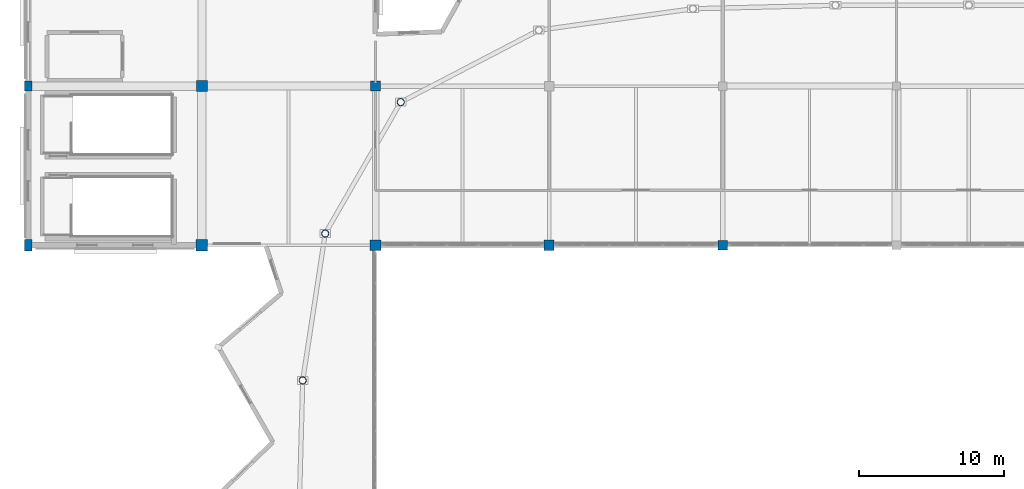
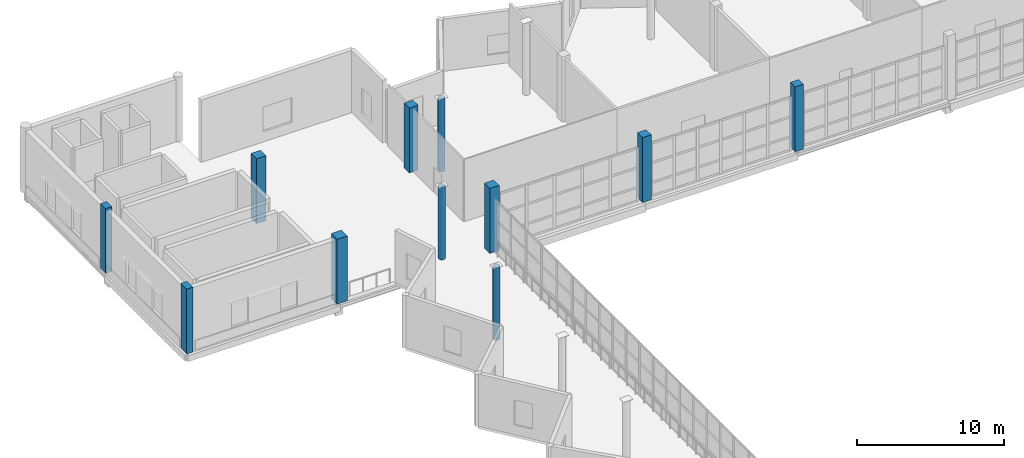
# One storey, part 6 of 49: 11 columns.
"""IFC4 building model written with IfcOpenShell, lengths in metres."""

from ifc_helpers import new_model, si_unit, direction, frame, origin, origin_2d, place, context, subcontext, project, spatial, rectangle, hollow_circle, extrude, material, material_profile, profile_set, type_object, element, save


model = new_model("IFC4")

# Units and contexts
model_context = context("Model", 3, precision=1e-05, world=origin(), true_north=direction((0.0, 1.0)))
body_context = subcontext(model_context, "Body", "Model", "MODEL_VIEW")
ifc_project = project(units=[si_unit("LENGTHUNIT", "METRE"), si_unit("AREAUNIT", "SQUARE_METRE"), si_unit("VOLUMEUNIT", "CUBIC_METRE"), si_unit("PLANEANGLEUNIT", "RADIAN"), si_unit("MASSUNIT", "GRAM", prefix="KILO")], contexts=[model_context])

# Site, building, storey
site_placement = place(None, origin())
site = spatial("IfcSite", under=ifc_project, at=site_placement, CompositionType="ELEMENT")
building_placement = place(site_placement, origin())
building = spatial("IfcBuilding", under=site, at=building_placement, Name="Luwafu Chhajja Arena", CompositionType="ELEMENT")
storey_placement = place(building_placement, frame((0.0, 0.0, 24.300048828125)))
storey = spatial("IfcBuildingStorey", under=building, at=storey_placement, Name="L05", CompositionType="ELEMENT", Elevation=24.300048828125)

# Columns
ifc_material_1 = material(Name="Concrete C35/45", Category="concrete")
ifc_material_profile_1 = material_profile(ifc_material_1, rectangle(XDim=0.5, YDim=0.800048828125, at=origin_2d()), Name="RC 500x800")
ifc_profile_set_1 = profile_set([ifc_material_profile_1], Name="Concrete C35/45")
column_type_1 = type_object("IfcColumnType", Name="BOH Frame Column RC 500x800", PredefinedType="COLUMN", material=ifc_profile_set_1)
column_1_placement = place(storey_placement, frame((34.0, 77.0, 0.0), z_axis=(0.0, 0.0, 1.0), x_axis=(1.0, 0.0, 0.0)))
element("IfcColumn", 1, at=column_1_placement, inside=storey, type_object=column_type_1, Name="L05 Grid Column 4/H", PredefinedType="COLUMN", context=body_context, shape_type="SweptSolid", body=[
    extrude(rectangle(XDim=0.5, YDim=0.800048828125, at=origin_2d()), origin(), (0.0, 0.0, 1.0), 5.39990234375),
])
ifc_material_profile_2 = material_profile(ifc_material_1, rectangle(XDim=0.800048828125, YDim=0.800048828125, at=origin_2d()), Name="RC 800x800")
ifc_profile_set_2 = profile_set([ifc_material_profile_2], Name="Concrete C35/45")
column_type_2 = type_object("IfcColumnType", Name="Concourse Standard Column RC 800", PredefinedType="COLUMN", material=ifc_profile_set_2)
column_2_placement = place(storey_placement, frame((46.0, 77.0, 0.0), z_axis=(0.0, 0.0, 1.0), x_axis=(1.0, 0.0, 0.0)))
element("IfcColumn", 2, at=column_2_placement, inside=storey, type_object=column_type_2, Name="L05 Grid Column 5/H", PredefinedType="COLUMN", context=body_context, shape_type="SweptSolid", body=[
    extrude(rectangle(XDim=0.800048828125, YDim=0.800048828125, at=origin_2d()), origin(), (0.0, 0.0, 1.0), 5.39990234375),
])
ifc_material_profile_3 = material_profile(ifc_material_1, rectangle(XDim=0.75, YDim=0.75, at=origin_2d()), Name="RC 750x750")
ifc_profile_set_3 = profile_set([ifc_material_profile_3], Name="Concrete C35/45")
column_type_3 = type_object("IfcColumnType", Name="Hospitality Ring Column RC 750", PredefinedType="COLUMN", material=ifc_profile_set_3)
for number, where, z_axis, x_axis, name in (
    (3, (46.0, 88.0, 0.0), (0.0, 0.0, 1.0), (1.0, 0.0, 0.0), "L05 Grid Column 5/J"),
    (4, (58.0, 77.0, 0.0), (0.0, 0.0, 1.0), (1.0, 0.0, 0.0), "L05 Grid Column 6/H"),
):
    element("IfcColumn", number, at=place(storey_placement, frame(where, z_axis=z_axis, x_axis=x_axis)), inside=storey, type_object=column_type_3, Name=name, PredefinedType="COLUMN", context=body_context, shape_type="SweptSolid", body=[
        extrude(rectangle(XDim=0.75, YDim=0.75, at=origin_2d()), origin(), (0.0, 0.0, 1.0), 5.39990234375),
    ])
ifc_material_profile_4 = material_profile(ifc_material_1, rectangle(XDim=0.5, YDim=0.699951171875, at=origin_2d()), Name="RC 500x700")
ifc_profile_set_4 = profile_set([ifc_material_profile_4], Name="Concrete C35/45")
column_type_4 = type_object("IfcColumnType", Name="Perimeter Pilaster Column RC 500x700", PredefinedType="COLUMN", material=ifc_profile_set_4)
column_3_placement = place(storey_placement, frame((34.0, 88.0, 0.0), z_axis=(0.0, 0.0, 1.0), x_axis=(1.0, 0.0, 0.0)))
element("IfcColumn", 5, at=column_3_placement, inside=storey, type_object=column_type_4, Name="L05 Grid Column 4/J", PredefinedType="COLUMN", context=body_context, shape_type="SweptSolid", body=[
    extrude(rectangle(XDim=0.5, YDim=0.699951171875, at=origin_2d()), origin(), (0.0, 0.0, 1.0), 5.39990234375),
])
ifc_material_2 = material(Name="Steel S355", Category="steel")
ifc_material_profile_5 = material_profile(ifc_material_2, hollow_circle(Radius=0.25390625, WallThickness=0.02001953125, at=origin_2d()), Name="CHS 508x20")
ifc_profile_set_5 = profile_set([ifc_material_profile_5], Name="Steel S355")
column_type_5 = type_object("IfcColumnType", Name="Steel Upper Drum Column CHS 508", PredefinedType="COLUMN", material=ifc_profile_set_5)
for number, where, z_axis, x_axis, name in (
    (6, (59.743896484375, 86.890869140625, 0.0), (0.0, 0.0, 1.0), (1.0, 0.0, 0.0), "L05 Bowl Drum Column D13"),
    (7, (54.52392578125, 77.805908203125, 0.0), (0.0, 0.0, 1.0), (1.0, 0.0, 0.0), "L05 Bowl Drum Column D14"),
    (8, (52.968017578125, 67.6611328125, 0.0), (0.0, 0.0, 1.0), (1.0, 0.0, 0.0), "L05 Bowl Drum Column D15"),
):
    element("IfcColumn", number, at=place(storey_placement, frame(where, z_axis=z_axis, x_axis=x_axis)), inside=storey, type_object=column_type_5, Name=name, PredefinedType="COLUMN", context=body_context, shape_type="SweptSolid", body=[
        extrude(hollow_circle(Radius=0.25390625, WallThickness=0.02001953125, at=origin_2d()), origin(), (0.0, 0.0, 1.0), 6.050048828125),
    ])
ifc_material_profile_6 = material_profile(ifc_material_1, rectangle(XDim=0.64990234375, YDim=0.64990234375, at=origin_2d()), Name="RC 650x650")
ifc_profile_set_6 = profile_set([ifc_material_profile_6], Name="Concrete C35/45")
column_type_6 = type_object("IfcColumnType", Name="Upper Wing Column RC 650", PredefinedType="COLUMN", material=ifc_profile_set_6)
column_4_placement = place(storey_placement, frame((82.0, 77.0, 0.0), z_axis=(0.0, 0.0, 1.0), x_axis=(1.0, 0.0, 0.0)))
element("IfcColumn", 9, at=column_4_placement, inside=storey, type_object=column_type_6, Name="L05 Grid Column 8/H", PredefinedType="COLUMN", context=body_context, shape_type="SweptSolid", body=[
    extrude(rectangle(XDim=0.64990234375, YDim=0.64990234375, at=origin_2d()), origin(), (0.0, 0.0, 1.0), 5.39990234375),
])
ifc_material_profile_7 = material_profile(ifc_material_1, rectangle(XDim=0.699951171875, YDim=0.699951171875, at=origin_2d()), Name="RC 700x700")
ifc_profile_set_7 = profile_set([ifc_material_profile_7], Name="Concrete C35/45")
column_type_7 = type_object("IfcColumnType", Name="Wing Frame Column RC 700", PredefinedType="COLUMN", material=ifc_profile_set_7)
for number, where, z_axis, x_axis, name in (
    (10, (58.0, 88.0, 0.0), (0.0, 0.0, 1.0), (1.0, 0.0, 0.0), "L05 Grid Column 6/J"),
    (11, (70.0, 77.0, 0.0), (0.0, 0.0, 1.0), (1.0, 0.0, 0.0), "L05 Grid Column 7/H"),
):
    element("IfcColumn", number, at=place(storey_placement, frame(where, z_axis=z_axis, x_axis=x_axis)), inside=storey, type_object=column_type_7, Name=name, PredefinedType="COLUMN", context=body_context, shape_type="SweptSolid", body=[
        extrude(rectangle(XDim=0.699951171875, YDim=0.699951171875, at=origin_2d()), origin(), (0.0, 0.0, 1.0), 5.39990234375),
    ])

save(model, "model.ifc")
